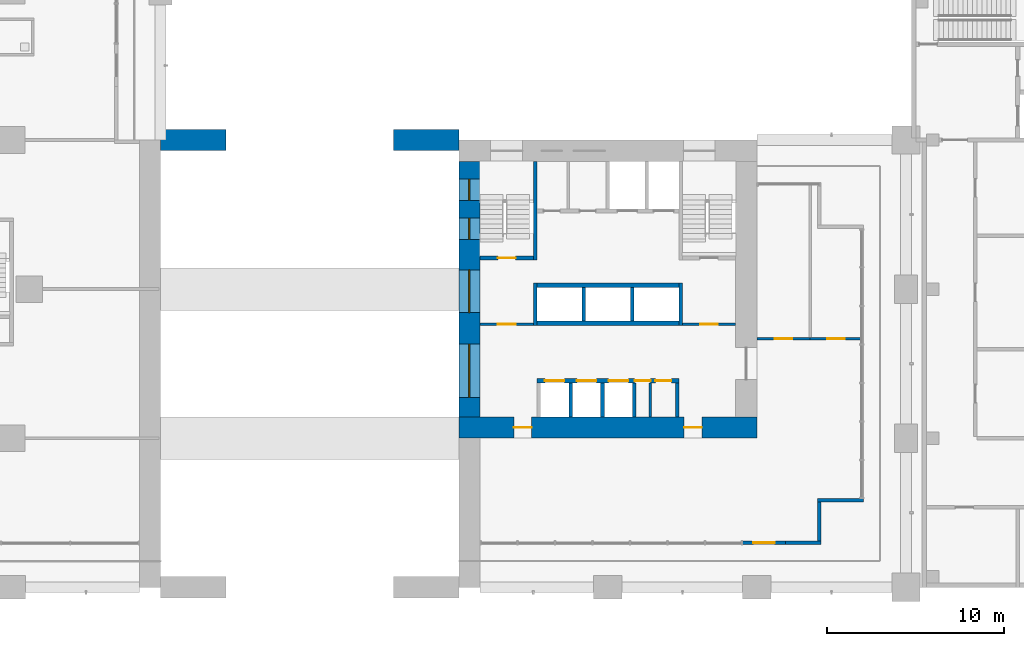
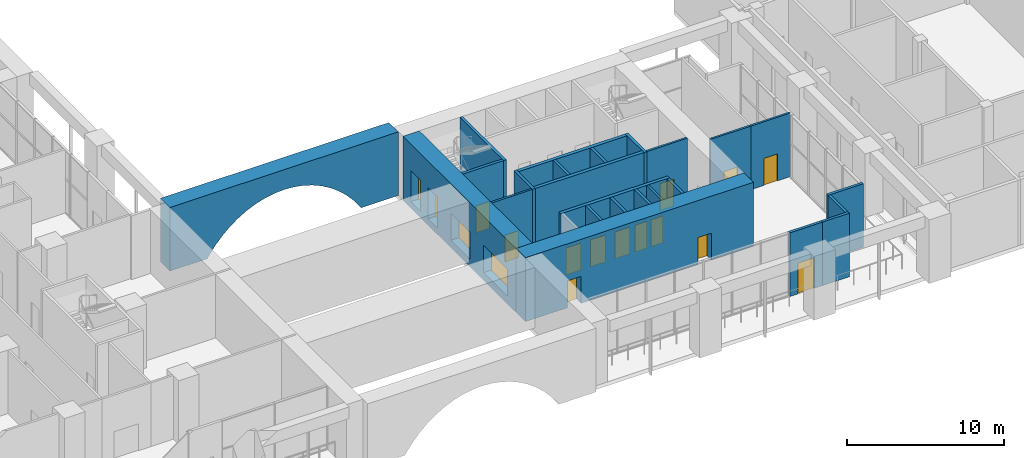
# One storey, part 11 of 26: 25 walls, 13 doors, 4 windows, 17 openings.
"""IFC4 building model written with IfcOpenShell, lengths in metres."""

from ifc_helpers import new_model, si_unit, direction, frame, frame_2d, origin, place, context, subcontext, project, spatial, polyline, rectangle, outline, extrude, material, layer, layer_set, type_object, element, fill, save


model = new_model("IFC4")

# Units and contexts
model_context = context("Model", 3, precision=1e-05, world=origin(), true_north=direction((0.0, 1.0)))
body_context = subcontext(model_context, "Body", "Model", "MODEL_VIEW")
ifc_project = project(units=[si_unit("LENGTHUNIT", "METRE"), si_unit("AREAUNIT", "SQUARE_METRE"), si_unit("VOLUMEUNIT", "CUBIC_METRE"), si_unit("PLANEANGLEUNIT", "RADIAN"), si_unit("MASSUNIT", "GRAM", prefix="KILO")], contexts=[model_context])

# Site, building, storey
site_placement = place(None, origin())
site = spatial("IfcSite", under=ifc_project, at=site_placement, CompositionType="ELEMENT")
building_placement = place(site_placement, origin())
building = spatial("IfcBuilding", under=site, at=building_placement, Name="Vermilion Gate Residences", CompositionType="ELEMENT")
storey_placement = place(building_placement, frame((0.0, 0.0, 9.0)))
storey = spatial("IfcBuildingStorey", under=building, at=storey_placement, Name="L01", CompositionType="ELEMENT", Elevation=9.0)

# Wall
ifc_material_1 = material(Name="Masonry blockwork", Category="masonry")
ifc_layer_1 = layer(ifc_material_1, 0.14990234375)
ifc_layer_set_1 = layer_set([ifc_layer_1], Name="BLOCKWORK PARTITION 150 EI 120")
wall_type_1 = type_object("IfcWallType", Name="BLOCKWORK PARTITION 150 EI 120", PredefinedType="PARTITIONING", material=ifc_layer_set_1)
wall_1_placement = place(storey_placement, frame((52.79248046875, 9.60009765625, 0.0), z_axis=(0.0, 0.0, 1.0), x_axis=(0.0, 1.0, 0.0)))
element("IfcWall", 1, at=wall_1_placement, inside=storey, type_object=wall_type_1, Name="Core room partition A01-SR-P0", PredefinedType="PARTITIONING", context=body_context, shape_type="SweptSolid", body=[
    extrude(rectangle(XDim=1.89990234375, YDim=0.14990234375, at=frame_2d((0.949951171875, 0.0))), origin(), (0.0, 0.0, 1.0), 4.97998046875),
])

# Wall, opening, door
wall_2_placement = place(storey_placement, frame((43.199951171875, 14.824951171875, 0.0), z_axis=(0.0, 0.0, 1.0), x_axis=(1.0, 0.0, 0.0)))
wall_2 = element("IfcWall", 2, at=wall_2_placement, inside=storey, type_object=wall_type_1, Name="Core room partition A01-VW-S", PredefinedType="PARTITIONING", context=body_context, shape_type="SweptSolid", body=[
    extrude(rectangle(XDim=3.0, YDim=0.14990234375, at=frame_2d((1.5, 0.0))), origin(), (0.0, 0.0, 1.0), 4.97998046875),
])
opening_1_placement = place(wall_2_placement, frame((1.0, 0.0, 0.0)))
opening_1 = element("IfcOpeningElement", 3, at=opening_1_placement, cuts=wall_2, Name="Opening DK01013", PredefinedType="OPENING", context=body_context, shape_type="SweptSolid", body=[
    extrude(rectangle(XDim=1.0, YDim=2.10009765625, at=frame_2d((0.5, 1.050048828125))), frame((0.0, 0.0849609375, 0.0), z_axis=(0.0, -1.0, 0.0), x_axis=(1.0, 0.0, 0.0)), (0.0, 0.0, 1.0), 0.169921875),
])
ifc_material_2 = material(Name="Steel", Category="steel")
door_type_1 = type_object("IfcDoorType", Name="FIRE DOOR FD60 1000 X 2100", OperationType="SINGLE_SWING_LEFT", PredefinedType="DOOR", material=ifc_material_2)
door_1_placement = place(opening_1_placement, frame((1.0, 0.0, 0.0), z_axis=(0.0, 0.0, 1.0), x_axis=(-1.0, 0.0, 0.0)))
door_1 = element("IfcDoor", 4, at=door_1_placement, inside=storey, type_object=door_type_1, Name="Stair vestibule door A01", OperationType="SINGLE_SWING_RIGHT", OverallHeight=2.10009765625, OverallWidth=1.0, PredefinedType="DOOR", context=body_context, shape_type="SweptSolid", body=[
    extrude(rectangle(XDim=1.0, YDim=2.10009765625, at=frame_2d((0.5, 1.050048828125))), frame((0.0, 0.02490234375, 0.0), z_axis=(0.0, -1.0, 0.0), x_axis=(1.0, 0.0, 0.0)), (0.0, 0.0, 1.0), 0.050048828125),
])
fill(opening_1, door_1)

wall_3_placement = place(storey_placement, frame((54.60009765625, 14.824951171875, 0.0), z_axis=(0.0, 0.0, 1.0), x_axis=(1.0, 0.0, 0.0)))
wall_3 = element("IfcWall", 5, at=wall_3_placement, inside=storey, type_object=wall_type_1, Name="Core room partition A01-VE-S", PredefinedType="PARTITIONING", context=body_context, shape_type="SweptSolid", body=[
    extrude(rectangle(XDim=3.0, YDim=0.14990234375, at=frame_2d((1.5, 0.0))), origin(), (0.0, 0.0, 1.0), 4.97998046875),
])
opening_2_placement = place(wall_3_placement, frame((1.0, 0.0, 0.0)))
opening_2 = element("IfcOpeningElement", 6, at=opening_2_placement, cuts=wall_3, Name="Opening DK01015", PredefinedType="OPENING", context=body_context, shape_type="SweptSolid", body=[
    extrude(rectangle(XDim=1.0, YDim=2.10009765625, at=frame_2d((0.5, 1.050048828125))), frame((0.0, 0.0849609375, 0.0), z_axis=(0.0, -1.0, 0.0), x_axis=(1.0, 0.0, 0.0)), (0.0, 0.0, 1.0), 0.169921875),
])
door_2_placement = place(opening_2_placement, frame((1.0, 0.0, 0.0), z_axis=(0.0, 0.0, 1.0), x_axis=(-1.0, 0.0, 0.0)))
door_2 = element("IfcDoor", 7, at=door_2_placement, inside=storey, type_object=door_type_1, Name="Stair vestibule door A01", OperationType="SINGLE_SWING_LEFT", OverallHeight=2.10009765625, OverallWidth=1.0, PredefinedType="DOOR", context=body_context, shape_type="SweptSolid", body=[
    extrude(rectangle(XDim=1.0, YDim=2.10009765625, at=frame_2d((0.5, 1.050048828125))), frame((0.0, 0.02490234375, 0.0), z_axis=(0.0, -1.0, 0.0), x_axis=(1.0, 0.0, 0.0)), (0.0, 0.0, 1.0), 0.050048828125),
])
fill(opening_2, door_2)

ifc_material_3 = material(Name="Insulated steel stud wall with terracotta rainscreen", Category="masonry")
ifc_layer_2 = layer(ifc_material_3, 0.199951171875)
ifc_layer_set_2 = layer_set([ifc_layer_2], Name="EXTERNAL WALL 200 TERRACOTTA RAINSCREEN")
wall_type_2 = type_object("IfcWallType", Name="EXTERNAL WALL 200 TERRACOTTA RAINSCREEN", PredefinedType="SOLIDWALL", material=ifc_layer_set_2)
wall_4_placement = place(storey_placement, frame((58.0, 2.5, 0.0), z_axis=(0.0, 0.0, 1.0), x_axis=(1.0, 0.0, 0.0)))
wall_4 = element("IfcWall", 8, at=wall_4_placement, inside=storey, type_object=wall_type_2, Name="External wall", PredefinedType="SOLIDWALL", context=body_context, shape_type="SweptSolid", body=[
    extrude(rectangle(XDim=2.39990234375, YDim=0.199951171875, at=frame_2d((1.199951171875, 0.0))), origin(), (0.0, 0.0, 1.0), 4.949951171875),
])
opening_3_placement = place(wall_4_placement, frame((0.60009765625, 0.0, 0.0)))
opening_3 = element("IfcOpeningElement", 9, at=opening_3_placement, cuts=wall_4, Name="Opening DE01003", PredefinedType="OPENING", context=body_context, shape_type="SweptSolid", body=[
    extrude(rectangle(XDim=1.199951171875, YDim=2.39990234375, at=frame_2d((0.60009765625, 1.199951171875))), frame((0.0, 0.10986328125, 0.0), z_axis=(0.0, -1.0, 0.0), x_axis=(1.0, 0.0, 0.0)), (0.0, 0.0, 1.0), 0.219970703125),
])
ifc_material_4 = material(Name="Aluminium and clear glass", Category="aluminium")
door_type_2 = type_object("IfcDoorType", Name="GLAZED EXTERNAL DOOR 1200 X 2400", OperationType="SINGLE_SWING_LEFT", PredefinedType="DOOR", material=ifc_material_4)
door_3_placement = place(opening_3_placement, frame((1.199951171875, 0.0, 0.0), z_axis=(0.0, 0.0, 1.0), x_axis=(-1.0, 0.0, 0.0)))
door_3 = element("IfcDoor", 10, at=door_3_placement, inside=storey, type_object=door_type_2, Name="Terrace door", OperationType="SINGLE_SWING_RIGHT", OverallHeight=2.39990234375, OverallWidth=1.199951171875, PredefinedType="DOOR", context=body_context, shape_type="SweptSolid", body=[
    extrude(rectangle(XDim=1.199951171875, YDim=2.39990234375, at=frame_2d((0.60009765625, 1.199951171875))), frame((0.0, 0.02490234375, 0.0), z_axis=(0.0, -1.0, 0.0), x_axis=(1.0, 0.0, 0.0)), (0.0, 0.0, 1.0), 0.050048828125),
])
fill(opening_3, door_3)

# Walls
wall_5_placement = place(storey_placement, frame((60.39990234375, 2.5, 0.0), z_axis=(0.0, 0.0, 1.0), x_axis=(1.0, 0.0, 0.0)))
element("IfcWall", 11, at=wall_5_placement, inside=storey, type_object=wall_type_2, Name="External wall", PredefinedType="SOLIDWALL", context=body_context, shape_type="SweptSolid", body=[
    extrude(rectangle(XDim=2.0, YDim=0.199951171875, at=frame_2d((1.0, 0.0))), origin(), (0.0, 0.0, 1.0), 4.949951171875),
])
wall_6_placement = place(storey_placement, frame((62.300048828125, 2.60009765625, 0.0), z_axis=(0.0, 0.0, 1.0), x_axis=(0.0, 1.0, 0.0)))
element("IfcWall", 12, at=wall_6_placement, inside=storey, type_object=wall_type_2, Name="External wall", PredefinedType="SOLIDWALL", context=body_context, shape_type="SweptSolid", body=[
    extrude(rectangle(XDim=2.199951171875, YDim=0.199951171875, at=frame_2d((1.10009765625, 0.0))), origin(), (0.0, 0.0, 1.0), 4.949951171875),
])
wall_7_placement = place(storey_placement, frame((62.199951171875, 4.89990234375, 0.0), z_axis=(0.0, 0.0, 1.0), x_axis=(1.0, 0.0, 0.0)))
element("IfcWall", 13, at=wall_7_placement, inside=storey, type_object=wall_type_2, Name="External wall", PredefinedType="SOLIDWALL", context=body_context, shape_type="SweptSolid", body=[
    extrude(rectangle(XDim=2.60009765625, YDim=0.199951171875, at=frame_2d((1.300048828125, 0.0))), origin(), (0.0, 0.0, 1.0), 4.949951171875),
])

# Wall, opening, door
ifc_material_5 = material(Name="Gypsum board on steel studs", Category="steel")
ifc_layer_3 = layer(ifc_material_5, 0.14990234375)
ifc_layer_set_3 = layer_set([ifc_layer_3], Name="PARTITION 150 EI 60 (AMENITY)")
wall_type_3 = type_object("IfcWallType", Name="PARTITION 150 EI 60 (AMENITY)", PredefinedType="PARTITIONING", material=ifc_layer_set_3)
wall_8_placement = place(storey_placement, frame((58.800048828125, 14.0, 0.0), z_axis=(0.0, 0.0, 1.0), x_axis=(1.0, 0.0, 0.0)))
wall_8 = element("IfcWall", 14, at=wall_8_placement, inside=storey, type_object=wall_type_3, Name="Partition 34", PredefinedType="PARTITIONING", context=body_context, shape_type="SweptSolid", body=[
    extrude(rectangle(XDim=3.0, YDim=0.14990234375, at=frame_2d((1.5, 0.0))), origin(), (0.0, 0.0, 1.0), 4.949951171875),
])
opening_4_placement = place(wall_8_placement, frame((1.0, 0.0, 0.0)))
opening_4 = element("IfcOpeningElement", 15, at=opening_4_placement, cuts=wall_8, Name="Opening DM01011", PredefinedType="OPENING", context=body_context, shape_type="SweptSolid", body=[
    extrude(rectangle(XDim=1.0, YDim=2.10009765625, at=frame_2d((0.5, 1.050048828125))), frame((0.0, 0.0849609375, 0.0), z_axis=(0.0, -1.0, 0.0), x_axis=(1.0, 0.0, 0.0)), (0.0, 0.0, 1.0), 0.169921875),
])
ifc_material_6 = material(Name="Steel", Category="steel")
door_type_3 = type_object("IfcDoorType", Name="DOOR 1000 X 2100 FD30 (AMENITY)", OperationType="SINGLE_SWING_LEFT", PredefinedType="DOOR", material=ifc_material_6)
door_4_placement = place(opening_4_placement, origin())
door_4 = element("IfcDoor", 16, at=door_4_placement, inside=storey, type_object=door_type_3, Name="Door L01 11", OperationType="SINGLE_SWING_RIGHT", OverallHeight=2.10009765625, OverallWidth=1.0, PredefinedType="DOOR", context=body_context, shape_type="SweptSolid", body=[
    extrude(rectangle(XDim=1.0, YDim=2.10009765625, at=frame_2d((0.5, 1.050048828125))), frame((0.0, 0.02490234375, 0.0), z_axis=(0.0, -1.0, 0.0), x_axis=(1.0, 0.0, 0.0)), (0.0, 0.0, 1.0), 0.050048828125),
])
fill(opening_4, door_4)

wall_9_placement = place(storey_placement, frame((61.800048828125, 14.0, 0.0), z_axis=(0.0, 0.0, 1.0), x_axis=(1.0, 0.0, 0.0)))
wall_9 = element("IfcWall", 17, at=wall_9_placement, inside=storey, type_object=wall_type_3, Name="Partition 36", PredefinedType="PARTITIONING", context=body_context, shape_type="SweptSolid", body=[
    extrude(rectangle(XDim=2.89990234375, YDim=0.14990234375, at=frame_2d((1.449951171875, 0.0))), origin(), (0.0, 0.0, 1.0), 4.949951171875),
])
opening_5_placement = place(wall_9_placement, frame((0.949951171875, 0.0, 0.0)))
opening_5 = element("IfcOpeningElement", 18, at=opening_5_placement, cuts=wall_9, Name="Opening DM01012", PredefinedType="OPENING", context=body_context, shape_type="SweptSolid", body=[
    extrude(rectangle(XDim=1.0, YDim=2.10009765625, at=frame_2d((0.5, 1.050048828125))), frame((0.0, 0.0849609375, 0.0), z_axis=(0.0, -1.0, 0.0), x_axis=(1.0, 0.0, 0.0)), (0.0, 0.0, 1.0), 0.169921875),
])
door_5_placement = place(opening_5_placement, origin())
door_5 = element("IfcDoor", 19, at=door_5_placement, inside=storey, type_object=door_type_3, Name="Door L01 12", OperationType="SINGLE_SWING_RIGHT", OverallHeight=2.10009765625, OverallWidth=1.0, PredefinedType="DOOR", context=body_context, shape_type="SweptSolid", body=[
    extrude(rectangle(XDim=1.0, YDim=2.10009765625, at=frame_2d((0.5, 1.050048828125))), frame((0.0, 0.02490234375, 0.0), z_axis=(0.0, -1.0, 0.0), x_axis=(1.0, 0.0, 0.0)), (0.0, 0.0, 1.0), 0.050048828125),
])
fill(opening_5, door_5)

# Walls
ifc_material_7 = material(Name="Concrete C60", Category="concrete")
ifc_layer_4 = layer(ifc_material_7, 0.199951171875)
ifc_layer_set_4 = layer_set([ifc_layer_4], Name="RC CORE INTERNAL WALL 200 C60")
wall_type_4 = type_object("IfcWallType", Name="RC CORE INTERNAL WALL 200 C60", PredefinedType="SHEAR", material=ifc_layer_set_4)
for number, where, z_axis, x_axis, name in (
    (20, (48.300048828125, 9.60009765625, 0.0), (0.0, 0.0, 1.0), (0.0, 1.0, 0.0), "Core internal wall A01-LR-D1"),
    (21, (50.10009765625, 9.60009765625, 0.0), (0.0, 0.0, 1.0), (0.0, 1.0, 0.0), "Core internal wall A01-LR-D2"),
    (22, (51.89990234375, 9.60009765625, 0.0), (0.0, 0.0, 1.0), (0.0, 1.0, 0.0), "Core internal wall A01-LR-D3"),
    (23, (54.300048828125, 9.60009765625, 0.0), (0.0, 0.0, 1.0), (0.0, 1.0, 0.0), "Core internal wall A01-LR-DE"),
    (24, (49.033447265625, 15.0, 0.0), (0.0, 0.0, 1.0), (0.0, 1.0, 0.0), "Core internal wall A01-HR-D1"),
    (25, (51.7666015625, 15.0, 0.0), (0.0, 0.0, 1.0), (0.0, 1.0, 0.0), "Core internal wall A01-HR-D2"),
):
    element("IfcWall", number, at=place(storey_placement, frame(where, z_axis=z_axis, x_axis=x_axis)), inside=storey, type_object=wall_type_4, Name=name, PredefinedType="SHEAR", context=body_context, shape_type="SweptSolid", body=[
        extrude(rectangle(XDim=1.89990234375, YDim=0.199951171875, at=frame_2d((0.949951171875, 0.0))), origin(), (0.0, 0.0, 1.0), 4.97998046875),
    ])
wall_10_placement = place(storey_placement, frame((46.300048828125, 14.75, 0.0), z_axis=(0.0, 0.0, 1.0), x_axis=(0.0, 1.0, 0.0)))
element("IfcWall", 26, at=wall_10_placement, inside=storey, type_object=wall_type_4, Name="Core internal wall A01-WDIV1", PredefinedType="SHEAR", context=body_context, shape_type="SweptSolid", body=[
    extrude(rectangle(XDim=2.39990234375, YDim=0.199951171875, at=frame_2d((1.199951171875, 0.0))), origin(), (0.0, 0.0, 1.0), 4.97998046875),
])
wall_11_placement = place(storey_placement, frame((46.300048828125, 18.449951171875, 0.0), z_axis=(0.0, 0.0, 1.0), x_axis=(0.0, 1.0, 0.0)))
element("IfcWall", 27, at=wall_11_placement, inside=storey, type_object=wall_type_4, Name="Core internal wall A01-WDIV2", PredefinedType="SHEAR", context=body_context, shape_type="SweptSolid", body=[
    extrude(rectangle(XDim=5.550048828125, YDim=0.199951171875, at=frame_2d((2.77490234375, 0.0))), origin(), (0.0, 0.0, 1.0), 4.97998046875),
])

# Wall, opening, door
wall_12_placement = place(storey_placement, frame((43.199951171875, 18.550048828125, 0.0), z_axis=(0.0, 0.0, 1.0), x_axis=(1.0, 0.0, 0.0)))
wall_12 = element("IfcWall", 28, at=wall_12_placement, inside=storey, type_object=wall_type_4, Name="Core internal wall A01-STW-S", PredefinedType="SHEAR", context=body_context, shape_type="SweptSolid", body=[
    extrude(rectangle(XDim=3.0, YDim=0.199951171875, at=frame_2d((1.5, 0.0))), origin(), (0.0, 0.0, 1.0), 4.97998046875),
])
opening_6_placement = place(wall_12_placement, frame((1.0, 0.0, 0.0)))
opening_6 = element("IfcOpeningElement", 29, at=opening_6_placement, cuts=wall_12, Name="Opening DK01014", PredefinedType="OPENING", context=body_context, shape_type="SweptSolid", body=[
    extrude(rectangle(XDim=1.0, YDim=2.10009765625, at=frame_2d((0.5, 1.050048828125))), frame((0.0, 0.10986328125, 0.0), z_axis=(0.0, -1.0, 0.0), x_axis=(1.0, 0.0, 0.0)), (0.0, 0.0, 1.0), 0.219970703125),
])
door_6_placement = place(opening_6_placement, origin())
door_6 = element("IfcDoor", 30, at=door_6_placement, inside=storey, type_object=door_type_1, Name="Stair door A01", OperationType="SINGLE_SWING_RIGHT", OverallHeight=2.10009765625, OverallWidth=1.0, PredefinedType="DOOR", context=body_context, shape_type="SweptSolid", body=[
    extrude(rectangle(XDim=1.0, YDim=2.10009765625, at=frame_2d((0.5, 1.050048828125))), frame((0.0, 0.02490234375, 0.0), z_axis=(0.0, -1.0, 0.0), x_axis=(1.0, 0.0, 0.0)), (0.0, 0.0, 1.0), 0.050048828125),
])
fill(opening_6, door_6)

# Wall
wall_13_placement = place(storey_placement, frame((54.5, 14.75, 0.0), z_axis=(0.0, 0.0, 1.0), x_axis=(0.0, 1.0, 0.0)))
element("IfcWall", 31, at=wall_13_placement, inside=storey, type_object=wall_type_4, Name="Core internal wall A01-EDIV1", PredefinedType="SHEAR", context=body_context, shape_type="SweptSolid", body=[
    extrude(rectangle(XDim=2.39990234375, YDim=0.199951171875, at=frame_2d((1.199951171875, 0.0))), origin(), (0.0, 0.0, 1.0), 4.97998046875),
])

# Wall, openings, doors
ifc_material_8 = material(Name="Concrete C80", Category="concrete")
ifc_layer_5 = layer(ifc_material_8, 1.199951171875)
ifc_layer_set_5 = layer_set([ifc_layer_5], Name="RC CORE WALL 1200 C80")
wall_type_5 = type_object("IfcWallType", Name="RC CORE WALL 1200 C80", PredefinedType="SHEAR", material=ifc_layer_set_5)
wall_14_placement = place(storey_placement, frame((42.0, 9.0, 0.0), z_axis=(0.0, 0.0, 1.0), x_axis=(1.0, 0.0, 0.0)))
wall_14 = element("IfcWall", 32, at=wall_14_placement, inside=storey, type_object=wall_type_5, Name="Core wall A01-OUT-B0", PredefinedType="SHEAR", context=body_context, shape_type="SweptSolid", body=[
    extrude(rectangle(XDim=16.800048828125, YDim=1.199951171875, at=frame_2d((8.39990234375, 0.0))), origin(), (0.0, 0.0, 1.0), 4.97998046875),
])
opening_7_placement = place(wall_14_placement, frame((3.10009765625, 0.0, 0.0)))
opening_7 = element("IfcOpeningElement", 33, at=opening_7_placement, cuts=wall_14, Name="Opening DK01001", PredefinedType="OPENING", context=body_context, shape_type="SweptSolid", body=[
    extrude(rectangle(XDim=1.0, YDim=2.10009765625, at=frame_2d((0.5, 1.050048828125))), frame((0.0, 0.60986328125, 0.0), z_axis=(0.0, -1.0, 0.0), x_axis=(1.0, 0.0, 0.0)), (0.0, 0.0, 1.0), 1.219970703125),
])
opening_8_placement = place(wall_14_placement, frame((12.699951171875, 0.0, 0.0)))
opening_8 = element("IfcOpeningElement", 34, at=opening_8_placement, cuts=wall_14, Name="Opening DK01002", PredefinedType="OPENING", context=body_context, shape_type="SweptSolid", body=[
    extrude(rectangle(XDim=1.0, YDim=2.10009765625, at=frame_2d((0.5, 1.050048828125))), frame((0.0, 0.60986328125, 0.0), z_axis=(0.0, -1.0, 0.0), x_axis=(1.0, 0.0, 0.0)), (0.0, 0.0, 1.0), 1.219970703125),
])
door_7_placement = place(opening_7_placement, origin())
door_7 = element("IfcDoor", 35, at=door_7_placement, inside=storey, type_object=door_type_1, Name="Core lobby side door A01", OperationType="SINGLE_SWING_RIGHT", OverallHeight=2.10009765625, OverallWidth=1.0, PredefinedType="DOOR", context=body_context, shape_type="SweptSolid", body=[
    extrude(rectangle(XDim=1.0, YDim=2.10009765625, at=frame_2d((0.5, 1.050048828125))), frame((0.0, 0.02490234375, 0.0), z_axis=(0.0, -1.0, 0.0), x_axis=(1.0, 0.0, 0.0)), (0.0, 0.0, 1.0), 0.050048828125),
])
fill(opening_7, door_7)
door_8_placement = place(opening_8_placement, origin())
door_8 = element("IfcDoor", 36, at=door_8_placement, inside=storey, type_object=door_type_1, Name="Core lobby side door A01", OperationType="SINGLE_SWING_LEFT", OverallHeight=2.10009765625, OverallWidth=1.0, PredefinedType="DOOR", context=body_context, shape_type="SweptSolid", body=[
    extrude(rectangle(XDim=1.0, YDim=2.10009765625, at=frame_2d((0.5, 1.050048828125))), frame((0.0, 0.02490234375, 0.0), z_axis=(0.0, -1.0, 0.0), x_axis=(1.0, 0.0, 0.0)), (0.0, 0.0, 1.0), 0.050048828125),
])
fill(opening_8, door_8)

# Wall, openings, windows
ifc_material_9 = material(Name="Concrete C80 red-oxide pigmented", Category="concrete")
ifc_layer_6 = layer(ifc_material_9, 1.199951171875)
ifc_layer_set_6 = layer_set([ifc_layer_6], Name="RC CORE WALL 1200 C80 RED OXIDE")
wall_type_6 = type_object("IfcWallType", Name="RC CORE WALL 1200 C80 RED OXIDE", PredefinedType="SHEAR", material=ifc_layer_set_6)
wall_15_placement = place(storey_placement, frame((42.60009765625, 9.60009765625, 0.0), z_axis=(0.0, 0.0, 1.0), x_axis=(0.0, 1.0, 0.0)))
wall_15 = element("IfcWall", 37, at=wall_15_placement, inside=storey, type_object=wall_type_6, Name="Core wall A01-OUT-FR", PredefinedType="SHEAR", context=body_context, shape_type="SweptSolid", body=[
    extrude(rectangle(XDim=14.39990234375, YDim=1.199951171875, at=frame_2d((7.199951171875, 0.0))), origin(), (0.0, 0.0, 1.0), 4.97998046875),
])
opening_9_placement = place(wall_15_placement, frame((1.10498046875, 0.0, 0.60009765625)))
opening_9 = element("IfcOpeningElement", 38, at=opening_9_placement, cuts=wall_15, Name="Opening WKA0105", PredefinedType="OPENING", context=body_context, shape_type="SweptSolid", body=[
    extrude(rectangle(XDim=3.0, YDim=2.10009765625, at=frame_2d((1.5, 1.050048828125))), frame((0.0, 0.60986328125, 0.0), z_axis=(0.0, -1.0, 0.0), x_axis=(1.0, 0.0, 0.0)), (0.0, 0.0, 1.0), 1.219970703125),
])
opening_10_placement = place(wall_15_placement, frame((5.875, 0.0, 0.60009765625)))
opening_10 = element("IfcOpeningElement", 39, at=opening_10_placement, cuts=wall_15, Name="Opening WKA0106", PredefinedType="OPENING", context=body_context, shape_type="SweptSolid", body=[
    extrude(rectangle(XDim=2.39990234375, YDim=2.10009765625, at=frame_2d((1.199951171875, 1.050048828125))), frame((0.0, 0.60986328125, 0.0), z_axis=(0.0, -1.0, 0.0), x_axis=(1.0, 0.0, 0.0)), (0.0, 0.0, 1.0), 1.219970703125),
])
opening_11_placement = place(wall_15_placement, frame((9.993408203125, 0.0, 0.5)))
opening_11 = element("IfcOpeningElement", 40, at=opening_11_placement, cuts=wall_15, Name="Opening WKA0107", PredefinedType="OPENING", context=body_context, shape_type="SweptSolid", body=[
    extrude(rectangle(XDim=1.199951171875, YDim=2.39990234375, at=frame_2d((0.60009765625, 1.199951171875))), frame((0.0, 0.60986328125, 0.0), z_axis=(0.0, -1.0, 0.0), x_axis=(1.0, 0.0, 0.0)), (0.0, 0.0, 1.0), 1.219970703125),
])
opening_12_placement = place(wall_15_placement, frame((12.19677734375, 0.0, 0.5)))
opening_12 = element("IfcOpeningElement", 41, at=opening_12_placement, cuts=wall_15, Name="Opening WKA0108", PredefinedType="OPENING", context=body_context, shape_type="SweptSolid", body=[
    extrude(rectangle(XDim=1.199951171875, YDim=2.39990234375, at=frame_2d((0.60009765625, 1.199951171875))), frame((0.0, 0.60986328125, 0.0), z_axis=(0.0, -1.0, 0.0), x_axis=(1.0, 0.0, 0.0)), (0.0, 0.0, 1.0), 1.219970703125),
])
ifc_material_10 = material(Name="Aluminium and clear glass", Category="aluminium")
window_type_1 = type_object("IfcWindowType", Name="CORE LOBBY WINDOW 2400 X 2100", PartitioningType="SINGLE_PANEL", PredefinedType="WINDOW", material=ifc_material_10)
window_1_placement = place(opening_10_placement, origin())
window_1 = element("IfcWindow", 42, at=window_1_placement, inside=storey, type_object=window_type_1, Name="Core lobby window", OverallHeight=2.10009765625, OverallWidth=2.39990234375, PartitioningType="SINGLE_PANEL", PredefinedType="WINDOW", context=body_context, shape_type="SweptSolid", body=[
    extrude(rectangle(XDim=2.39990234375, YDim=2.10009765625, at=frame_2d((1.199951171875, 1.050048828125))), frame((0.0, 0.030029296875, 0.0), z_axis=(0.0, -1.0, 0.0), x_axis=(1.0, 0.0, 0.0)), (0.0, 0.0, 1.0), 0.06005859375),
])
fill(opening_10, window_1)
ifc_material_11 = material(Name="Aluminium and clear glass", Category="aluminium")
window_type_2 = type_object("IfcWindowType", Name="CORE LOBBY WINDOW 3000 X 2100", PartitioningType="SINGLE_PANEL", PredefinedType="WINDOW", material=ifc_material_11)
window_2_placement = place(opening_9_placement, origin())
window_2 = element("IfcWindow", 43, at=window_2_placement, inside=storey, type_object=window_type_2, Name="Core lobby window", OverallHeight=2.10009765625, OverallWidth=3.0, PartitioningType="SINGLE_PANEL", PredefinedType="WINDOW", context=body_context, shape_type="SweptSolid", body=[
    extrude(rectangle(XDim=3.0, YDim=2.10009765625, at=frame_2d((1.5, 1.050048828125))), frame((0.0, 0.030029296875, 0.0), z_axis=(0.0, -1.0, 0.0), x_axis=(1.0, 0.0, 0.0)), (0.0, 0.0, 1.0), 0.06005859375),
])
fill(opening_9, window_2)
ifc_material_12 = material(Name="Aluminium and clear glass", Category="aluminium")
window_type_3 = type_object("IfcWindowType", Name="CORE STAIR WINDOW 1200 X 2400", PartitioningType="SINGLE_PANEL", PredefinedType="WINDOW", material=ifc_material_12)
window_3_placement = place(opening_11_placement, origin())
window_3 = element("IfcWindow", 44, at=window_3_placement, inside=storey, type_object=window_type_3, Name="Core stair window", OverallHeight=2.39990234375, OverallWidth=1.199951171875, PartitioningType="SINGLE_PANEL", PredefinedType="WINDOW", context=body_context, shape_type="SweptSolid", body=[
    extrude(rectangle(XDim=1.199951171875, YDim=2.39990234375, at=frame_2d((0.60009765625, 1.199951171875))), frame((0.0, 0.030029296875, 0.0), z_axis=(0.0, -1.0, 0.0), x_axis=(1.0, 0.0, 0.0)), (0.0, 0.0, 1.0), 0.06005859375),
])
fill(opening_11, window_3)
window_4_placement = place(opening_12_placement, origin())
window_4 = element("IfcWindow", 45, at=window_4_placement, inside=storey, type_object=window_type_3, Name="Core stair window", OverallHeight=2.39990234375, OverallWidth=1.199951171875, PartitioningType="SINGLE_PANEL", PredefinedType="WINDOW", context=body_context, shape_type="SweptSolid", body=[
    extrude(rectangle(XDim=1.199951171875, YDim=2.39990234375, at=frame_2d((0.60009765625, 1.199951171875))), frame((0.0, 0.030029296875, 0.0), z_axis=(0.0, -1.0, 0.0), x_axis=(1.0, 0.0, 0.0)), (0.0, 0.0, 1.0), 0.06005859375),
])
fill(opening_12, window_4)

# Wall, openings, doors
ifc_material_13 = material(Name="Concrete C60", Category="concrete")
ifc_layer_7 = layer(ifc_material_13, 0.25)
ifc_layer_set_7 = layer_set([ifc_layer_7], Name="RC LIFT SHAFT WALL 250 C60")
wall_type_7 = type_object("IfcWallType", Name="RC LIFT SHAFT WALL 250 C60", PredefinedType="SHEAR", material=ifc_layer_set_7)
wall_16_placement = place(storey_placement, frame((46.39990234375, 11.625, 0.0), z_axis=(0.0, 0.0, 1.0), x_axis=(1.0, 0.0, 0.0)))
wall_16 = element("IfcWall", 46, at=wall_16_placement, inside=storey, type_object=wall_type_7, Name="Lift shaft wall A01-LR-F", PredefinedType="SHEAR", context=body_context, shape_type="SweptSolid", body=[
    extrude(rectangle(XDim=8.0, YDim=0.25, at=frame_2d((4.0, 0.0))), origin(), (0.0, 0.0, 1.0), 4.97998046875),
])
opening_13_placement = place(wall_16_placement, frame((0.449951171875, 0.0, 0.0)))
opening_13 = element("IfcOpeningElement", 47, at=opening_13_placement, cuts=wall_16, Name="Opening LD", PredefinedType="OPENING", context=body_context, shape_type="SweptSolid", body=[
    extrude(rectangle(XDim=1.10009765625, YDim=2.10009765625, at=frame_2d((0.550048828125, 1.050048828125))), frame((0.0, 0.135009765625, 0.0), z_axis=(0.0, -1.0, 0.0), x_axis=(1.0, 0.0, 0.0)), (0.0, 0.0, 1.0), 0.27001953125),
])
opening_14_placement = place(wall_16_placement, frame((2.25, 0.0, 0.0)))
opening_14 = element("IfcOpeningElement", 48, at=opening_14_placement, cuts=wall_16, Name="Opening LD", PredefinedType="OPENING", context=body_context, shape_type="SweptSolid", body=[
    extrude(rectangle(XDim=1.10009765625, YDim=2.10009765625, at=frame_2d((0.550048828125, 1.050048828125))), frame((0.0, 0.135009765625, 0.0), z_axis=(0.0, -1.0, 0.0), x_axis=(1.0, 0.0, 0.0)), (0.0, 0.0, 1.0), 0.27001953125),
])
opening_15_placement = place(wall_16_placement, frame((4.050048828125, 0.0, 0.0)))
opening_15 = element("IfcOpeningElement", 49, at=opening_15_placement, cuts=wall_16, Name="Opening LD", PredefinedType="OPENING", context=body_context, shape_type="SweptSolid", body=[
    extrude(rectangle(XDim=1.10009765625, YDim=2.10009765625, at=frame_2d((0.550048828125, 1.050048828125))), frame((0.0, 0.135009765625, 0.0), z_axis=(0.0, -1.0, 0.0), x_axis=(1.0, 0.0, 0.0)), (0.0, 0.0, 1.0), 0.27001953125),
])
opening_16_placement = place(wall_16_placement, frame((5.5087890625, 0.0, 0.0)))
opening_16 = element("IfcOpeningElement", 50, at=opening_16_placement, cuts=wall_16, Name="Opening DK01007", PredefinedType="OPENING", context=body_context, shape_type="SweptSolid", body=[
    extrude(rectangle(XDim=0.89990234375, YDim=2.10009765625, at=frame_2d((0.449951171875, 1.050048828125))), frame((0.0, 0.135009765625, 0.0), z_axis=(0.0, -1.0, 0.0), x_axis=(1.0, 0.0, 0.0)), (0.0, 0.0, 1.0), 0.27001953125),
])
opening_17_placement = place(wall_16_placement, frame((6.683837890625, 0.0, 0.0)))
opening_17 = element("IfcOpeningElement", 51, at=opening_17_placement, cuts=wall_16, Name="Opening DK01008", PredefinedType="OPENING", context=body_context, shape_type="SweptSolid", body=[
    extrude(rectangle(XDim=0.89990234375, YDim=2.10009765625, at=frame_2d((0.449951171875, 1.050048828125))), frame((0.0, 0.135009765625, 0.0), z_axis=(0.0, -1.0, 0.0), x_axis=(1.0, 0.0, 0.0)), (0.0, 0.0, 1.0), 0.27001953125),
])
ifc_material_14 = material(Name="Stainless steel", Category="steel")
door_type_4 = type_object("IfcDoorType", Name="LIFT LANDING DOOR E60 1100 X 2100", OperationType="DOUBLE_DOOR_SLIDING", PredefinedType="DOOR", material=ifc_material_14)
door_9_placement = place(opening_13_placement, origin())
door_9 = element("IfcDoor", 52, at=door_9_placement, inside=storey, type_object=door_type_4, Name="Lift landing door LRA1", OperationType="DOUBLE_DOOR_SLIDING", OverallHeight=2.10009765625, OverallWidth=1.10009765625, PredefinedType="DOOR", context=body_context, shape_type="SweptSolid", body=[
    extrude(rectangle(XDim=1.10009765625, YDim=2.10009765625, at=frame_2d((0.550048828125, 1.050048828125))), frame((0.0, 0.02490234375, 0.0), z_axis=(0.0, -1.0, 0.0), x_axis=(1.0, 0.0, 0.0)), (0.0, 0.0, 1.0), 0.050048828125),
])
fill(opening_13, door_9)
door_10_placement = place(opening_14_placement, origin())
door_10 = element("IfcDoor", 53, at=door_10_placement, inside=storey, type_object=door_type_4, Name="Lift landing door LRA2", OperationType="DOUBLE_DOOR_SLIDING", OverallHeight=2.10009765625, OverallWidth=1.10009765625, PredefinedType="DOOR", context=body_context, shape_type="SweptSolid", body=[
    extrude(rectangle(XDim=1.10009765625, YDim=2.10009765625, at=frame_2d((0.550048828125, 1.050048828125))), frame((0.0, 0.02490234375, 0.0), z_axis=(0.0, -1.0, 0.0), x_axis=(1.0, 0.0, 0.0)), (0.0, 0.0, 1.0), 0.050048828125),
])
fill(opening_14, door_10)
door_11_placement = place(opening_15_placement, origin())
door_11 = element("IfcDoor", 54, at=door_11_placement, inside=storey, type_object=door_type_4, Name="Lift landing door LRA3", OperationType="DOUBLE_DOOR_SLIDING", OverallHeight=2.10009765625, OverallWidth=1.10009765625, PredefinedType="DOOR", context=body_context, shape_type="SweptSolid", body=[
    extrude(rectangle(XDim=1.10009765625, YDim=2.10009765625, at=frame_2d((0.550048828125, 1.050048828125))), frame((0.0, 0.02490234375, 0.0), z_axis=(0.0, -1.0, 0.0), x_axis=(1.0, 0.0, 0.0)), (0.0, 0.0, 1.0), 0.050048828125),
])
fill(opening_15, door_11)
ifc_material_15 = material(Name="Steel", Category="steel")
door_type_5 = type_object("IfcDoorType", Name="SERVICE ROOM DOOR FD60 900 X 2100", OperationType="SINGLE_SWING_LEFT", PredefinedType="DOOR", material=ifc_material_15)
door_12_placement = place(opening_16_placement, origin())
door_12 = element("IfcDoor", 55, at=door_12_placement, inside=storey, type_object=door_type_5, Name="Fire equipment store A01", OperationType="SINGLE_SWING_LEFT", OverallHeight=2.10009765625, OverallWidth=0.89990234375, PredefinedType="DOOR", context=body_context, shape_type="SweptSolid", body=[
    extrude(rectangle(XDim=0.89990234375, YDim=2.10009765625, at=frame_2d((0.449951171875, 1.050048828125))), frame((0.0, 0.02490234375, 0.0), z_axis=(0.0, -1.0, 0.0), x_axis=(1.0, 0.0, 0.0)), (0.0, 0.0, 1.0), 0.050048828125),
])
fill(opening_16, door_12)
door_13_placement = place(opening_17_placement, frame((0.89990234375, 0.0, 0.0), z_axis=(0.0, 0.0, 1.0), x_axis=(-1.0, 0.0, 0.0)))
door_13 = element("IfcDoor", 56, at=door_13_placement, inside=storey, type_object=door_type_5, Name="Mail room A01", OperationType="SINGLE_SWING_RIGHT", OverallHeight=2.10009765625, OverallWidth=0.89990234375, PredefinedType="DOOR", context=body_context, shape_type="SweptSolid", body=[
    extrude(rectangle(XDim=0.89990234375, YDim=2.10009765625, at=frame_2d((0.449951171875, 1.050048828125))), frame((0.0, 0.02490234375, 0.0), z_axis=(0.0, -1.0, 0.0), x_axis=(1.0, 0.0, 0.0)), (0.0, 0.0, 1.0), 0.050048828125),
])
fill(opening_17, door_13)

# Walls
for number, where, z_axis, x_axis, name in (
    (57, (46.39990234375, 14.875, 0.0), (0.0, 0.0, 1.0), (1.0, 0.0, 0.0), "Lift shaft wall A01-HR-F"),
    (58, (46.39990234375, 17.02490234375, 0.0), (0.0, 0.0, 1.0), (1.0, 0.0, 0.0), "Lift shaft wall A01-HR-B"),
):
    element("IfcWall", number, at=place(storey_placement, frame(where, z_axis=z_axis, x_axis=x_axis)), inside=storey, type_object=wall_type_7, Name=name, PredefinedType="SHEAR", context=body_context, shape_type="SweptSolid", body=[
        extrude(rectangle(XDim=8.0, YDim=0.25, at=frame_2d((4.0, 0.0))), origin(), (0.0, 0.0, 1.0), 4.97998046875),
    ])
ifc_material_16 = material(Name="Concrete C70 vermilion pigmented", Category="concrete")
ifc_layer_8 = layer(ifc_material_16, 1.199951171875)
ifc_layer_set_8 = layer_set([ifc_layer_8], Name="RC PORTAL ARCH WALL 1200 C70 VERMILION")
wall_type_8 = type_object("IfcWallType", Name="RC PORTAL ARCH WALL 1200 C70 VERMILION", PredefinedType="SHEAR", material=ifc_layer_set_8)
wall_17_placement = place(storey_placement, frame((25.199951171875, 25.800048828125, 4.949951171875), z_axis=(0.0, 1.0, 0.0), x_axis=(1.0, 0.0, 0.0)))
element("IfcWall", 59, at=wall_17_placement, inside=storey, type_object=wall_type_8, Name="Portal arch wall N up 1", PredefinedType="SHEAR", context=body_context, shape_type="SweptSolid", body=[
    extrude(outline(polyline([(0.0, 0.0), (16.800048828125, 0.0), (16.800048828125, 4.949951171875), (14.053466796875, 4.949951171875), (13.9658203125, 4.803955078125), (13.4912109375, 4.15673828125), (12.967529296875, 3.570068359375), (12.400146484375, 3.0498046875), (11.794189453125, 2.600830078125), (11.1552734375, 2.2275390625), (10.489990234375, 1.93310546875), (9.8046875, 1.720947265625), (9.105712890625, 1.5927734375), (8.400146484375, 1.550048828125), (7.6943359375, 1.5927734375), (6.995361328125, 1.720947265625), (6.31005859375, 1.93310546875), (5.644775390625, 2.2275390625), (5.005859375, 2.600830078125), (4.39990234375, 3.0498046875), (3.83251953125, 3.570068359375), (3.308837890625, 4.15673828125), (2.834228515625, 4.803955078125), (2.746826171875, 4.949951171875), (0.0, 4.949951171875), (0.0, 0.0)])), origin(), (0.0, 0.0, -1.0), 1.199951171875),
])

save(model, "model.ifc")
